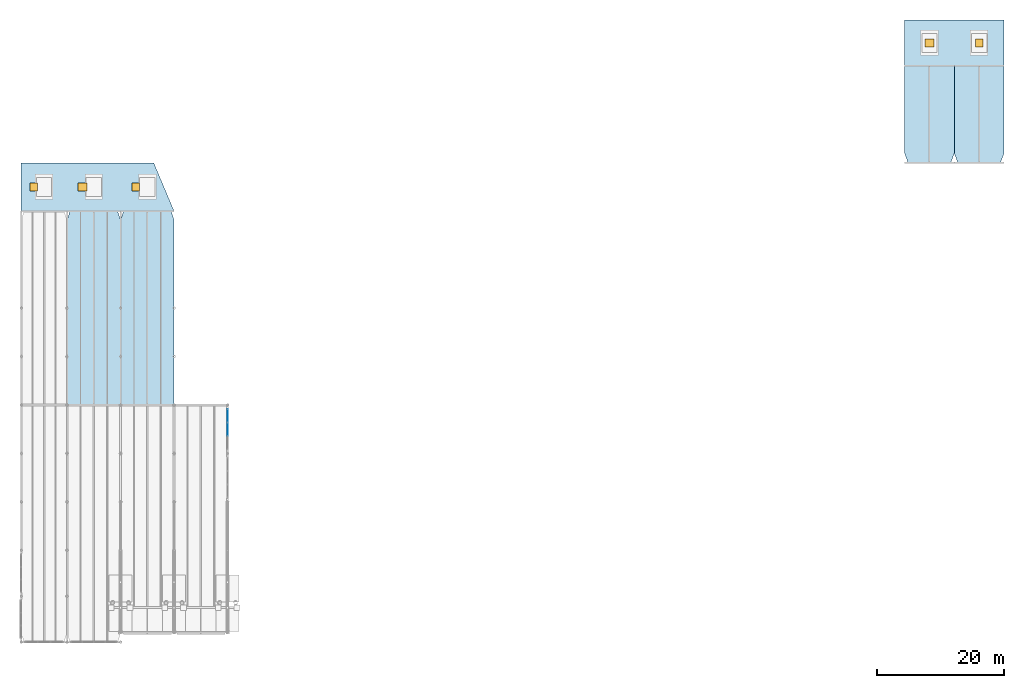
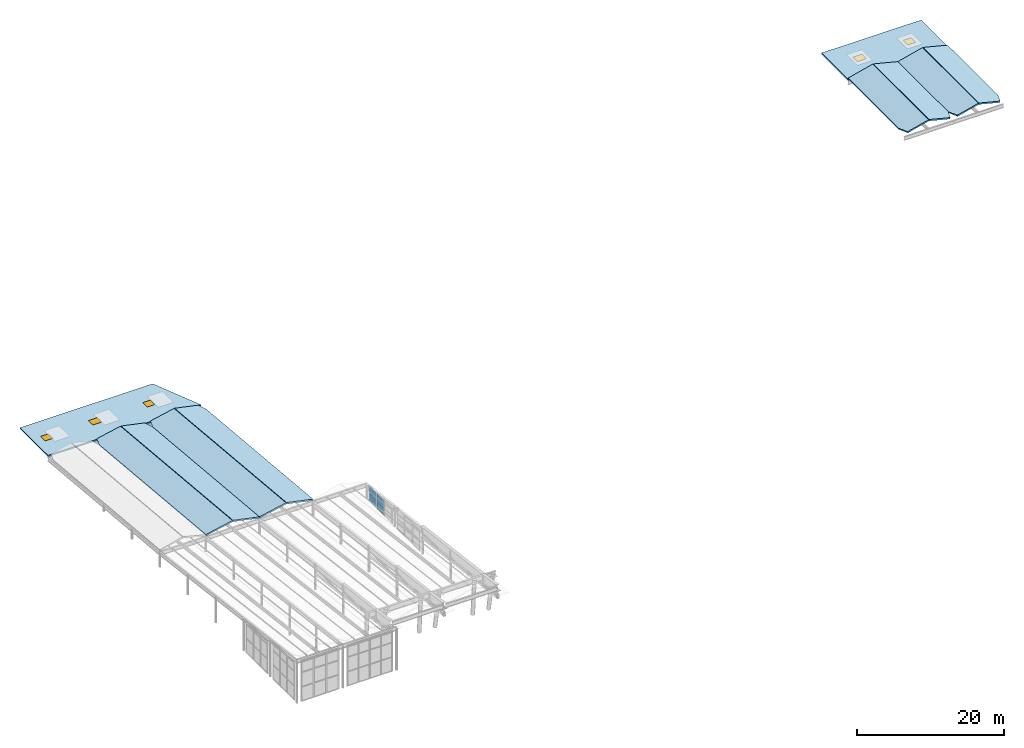
# One storey, part 12 of 14: 10 slabs, 5 windows, 4 plates, 5 openings, 1 element without a shape of its own.
"""IFC4 building model written with IfcOpenShell, lengths in metres."""

from ifc_helpers import new_model, si_unit, direction, frame, origin, origin_2d, place, context, subcontext, project, spatial, polyline, rectangle, outline, extrude, material, layer, layer_set, type_object, element, fill, aggregate, save


model = new_model("IFC4")

# Units and contexts
model_context = context("Model", 3, precision=1e-05, world=origin(), true_north=direction((0.0, 1.0)))
body_context = subcontext(model_context, "Body", "Model", "MODEL_VIEW")
ifc_project = project(units=[si_unit("LENGTHUNIT", "METRE"), si_unit("AREAUNIT", "SQUARE_METRE"), si_unit("VOLUMEUNIT", "CUBIC_METRE"), si_unit("PLANEANGLEUNIT", "RADIAN"), si_unit("MASSUNIT", "GRAM", prefix="KILO")], contexts=[model_context])

# Site, building, storey
site_placement = place(None, origin())
site = spatial("IfcSite", under=ifc_project, at=site_placement, CompositionType="ELEMENT")
building_placement = place(site_placement, origin())
building = spatial("IfcBuilding", under=site, at=building_placement, Name="Xicomal Pleat Aquarium", CompositionType="ELEMENT")
storey_placement = place(building_placement, frame((0.0, 0.0, 24.0)))
storey = spatial("IfcBuildingStorey", under=building, at=storey_placement, Name="RF", CompositionType="ELEMENT", Elevation=24.0)

# Curtain wall, plates
ifc_material_1 = material(Name="Bronze anodized aluminium 6063-T6", Category="aluminium")
ifc_layer_1 = layer(ifc_material_1, 0.159912109375)
ifc_layer_set_1 = layer_set([ifc_layer_1], Name="Bronze anodized aluminium 6063-T6")
curtain_wall_type = type_object("IfcCurtainWallType", Name="CW-SYS-03", PredefinedType="NOTDEFINED", material=ifc_layer_set_1)
curtain_wall_placement = place(storey_placement, origin())
curtain_wall = element("IfcCurtainWall", 1, at=curtain_wall_placement, inside=storey, type_object=curtain_wall_type, Name="RF pleated crown clerestory curtain wall CW-RF-06", PredefinedType="NOTDEFINED")
ifc_material_2 = material(Name="Insulated low-E laminated glass", Category="glass")
ifc_layer_2 = layer(ifc_material_2, 0.028076171875)
ifc_layer_set_2 = layer_set([ifc_layer_2], Name="Insulated low-E laminated glass")
plate_type = type_object("IfcPlateType", Name="CWP-GLZ-28", PredefinedType="CURTAIN_PANEL", material=ifc_layer_set_2)
plate_1_placement = place(storey_placement, frame((35.39990234375, 34.199951171875, 0.06494140625), z_axis=(0.0, 0.0, 1.0), x_axis=(0.0, 1.0, 0.0)))
plate_1 = element("IfcPlate", 2, at=plate_1_placement, type_object=plate_type, Name="CW-03 panel 2.1", PredefinedType="CURTAIN_PANEL", context=body_context, shape_type="SweptSolid", body=[
    extrude(rectangle(XDim=2.041748046875, YDim=0.028076171875, at=origin_2d()), origin(), (0.0, 0.0, 1.0), 1.202392578125),
])
plate_2_placement = place(storey_placement, frame((35.39990234375, 34.199951171875, 1.33251953125), z_axis=(0.0, 0.0, 1.0), x_axis=(0.0, 1.0, 0.0)))
plate_2 = element("IfcPlate", 3, at=plate_2_placement, type_object=plate_type, Name="CW-03 panel 2.2", PredefinedType="CURTAIN_PANEL", context=body_context, shape_type="SweptSolid", body=[
    extrude(rectangle(XDim=2.041748046875, YDim=0.028076171875, at=origin_2d()), origin(), (0.0, 0.0, 1.0), 1.202392578125),
])
plate_3_placement = place(storey_placement, frame((35.39990234375, 36.290283203125, 0.06494140625), z_axis=(0.0, 0.0, 1.0), x_axis=(0.0, 1.0, 0.0)))
plate_3 = element("IfcPlate", 4, at=plate_3_placement, type_object=plate_type, Name="CW-03 panel 3.1", PredefinedType="CURTAIN_PANEL", context=body_context, shape_type="SweptSolid", body=[
    extrude(rectangle(XDim=2.00927734375, YDim=0.028076171875, at=origin_2d()), origin(), (0.0, 0.0, 1.0), 1.202392578125),
])
plate_4_placement = place(storey_placement, frame((35.39990234375, 36.290283203125, 1.33251953125), z_axis=(0.0, 0.0, 1.0), x_axis=(0.0, 1.0, 0.0)))
plate_4 = element("IfcPlate", 5, at=plate_4_placement, type_object=plate_type, Name="CW-03 panel 3.2", PredefinedType="CURTAIN_PANEL", context=body_context, shape_type="SweptSolid", body=[
    extrude(rectangle(XDim=2.00927734375, YDim=0.028076171875, at=origin_2d()), origin(), (0.0, 0.0, 1.0), 1.202392578125),
])
aggregate(curtain_wall, [plate_1, plate_2, plate_3, plate_4])

# Slabs
ifc_material_3 = material(Name="Precast concrete C40/50", Category="concrete")
ifc_layer_3 = layer(ifc_material_3, 0.215087890625)
ifc_layer_set_3 = layer_set([ifc_layer_3], Name="Precast concrete C40/50")
slab_type_1 = type_object("IfcSlabType", Name="SLB-ROOF-215", PredefinedType="ROOF", material=ifc_layer_set_3)
slab_1_placement = place(storey_placement, frame((10.199951171875, 38.0, 2.800048828125), z_axis=(-0.206098125643, 0.089764679555, 0.974405390436), x_axis=(0.978355022078, 7.99024e-07, 0.206933445277)))
element("IfcSlab", 6, at=slab_1_placement, inside=storey, type_object=slab_type_1, Name="Pleated roof T2 bay 2 west facet", PredefinedType="ROOF", context=body_context, shape_type="SweptSolid", body=[
    extrude(outline(polyline([(0.0, 0.0), (4.2521869416471265, 1.3877787807814457e-17), (3.672787480940769, 30.523083592708844), (-0.11968641979654626, 30.523165042929453), (-0.5527255648312204, 29.117511860780095), (0.0, 0.0)])), origin(), (0.0, 0.0, -1.0), 0.215087890625),
])
slab_2_placement = place(storey_placement, frame((14.43994140625, 38.0, 3.679931640625), z_axis=(0.206098377615, 0.089765497372, 0.974405261801), x_axis=(0.978354965785, -8.23549e-07, -0.206933711422)))
element("IfcSlab", 7, at=slab_2_placement, inside=storey, type_object=slab_type_1, Name="Pleated roof T2 bay 2 east facet", PredefinedType="ROOF", context=body_context, shape_type="SweptSolid", body=[
    extrude(outline(polyline([(0.0, 0.0), (4.25218694163663, 0.0), (4.8049125061392255, 29.11751186044589), (4.371634505134135, 30.52316957813211), (0.5793994603521646, 30.52308359232933), (0.0, 0.0)])), origin(), (0.0, 0.0, -1.0), 0.215087890625),
])

# Slab, openings, windows
slab_3_placement = place(storey_placement, frame((0.0, 0.0, -0.219970703125)))
slab_3 = element("IfcSlab", 8, at=slab_3_placement, inside=storey, type_object=slab_type_1, Name="RF skylight and equipment roof slab RF-FLAT-W-HATCH", PredefinedType="ROOF", context=body_context, shape_type="SweptSolid", body=[
    extrude(outline(polyline([(3.0, 68.39990234375), (27.0, 68.39990234375), (23.800048828125, 76.0), (3.0, 76.0), (3.0, 68.39990234375)]), holes=[polyline([(4.39990234375, 71.60009765625), (5.60009765625, 71.60009765625), (5.60009765625, 72.800048828125), (4.39990234375, 72.800048828125), (4.39990234375, 71.60009765625)]), polyline([(11.89990234375, 71.60009765625), (13.300048828125, 71.60009765625), (13.300048828125, 72.800048828125), (11.89990234375, 72.800048828125), (11.89990234375, 71.60009765625)]), polyline([(20.39990234375, 71.60009765625), (21.60009765625, 71.60009765625), (21.60009765625, 72.800048828125), (20.39990234375, 72.800048828125), (20.39990234375, 71.60009765625)])]), origin(), (0.0, 0.0, 1.0), 0.219970703125),
])
opening_1_placement = place(slab_3_placement, frame((5.0, 72.199951171875, 0.0)))
opening_1 = element("IfcOpeningElement", 9, at=opening_1_placement, cuts=slab_3, Name="Opening RH-01", PredefinedType="OPENING", context=body_context, shape_type="SweptSolid", body=[
    extrude(rectangle(XDim=1.199951171875, YDim=1.199951171875, at=origin_2d()), origin(), (0.0, 0.0, 1.0), 0.219970703125),
])
opening_2_placement = place(slab_3_placement, frame((12.60009765625, 72.199951171875, 0.0)))
opening_2 = element("IfcOpeningElement", 10, at=opening_2_placement, cuts=slab_3, Name="Opening RH-02", PredefinedType="OPENING", context=body_context, shape_type="SweptSolid", body=[
    extrude(rectangle(XDim=1.39990234375, YDim=1.199951171875, at=origin_2d()), origin(), (0.0, 0.0, 1.0), 0.219970703125),
])
opening_3_placement = place(slab_3_placement, frame((21.0, 72.199951171875, 0.0)))
opening_3 = element("IfcOpeningElement", 11, at=opening_3_placement, cuts=slab_3, Name="Opening RH-01", PredefinedType="OPENING", context=body_context, shape_type="SweptSolid", body=[
    extrude(rectangle(XDim=1.199951171875, YDim=1.199951171875, at=origin_2d()), origin(), (0.0, 0.0, 1.0), 0.219970703125),
])
ifc_material_4 = material(Name="Bronze anodized aluminium 6063-T6", Category="aluminium")
window_type_1 = type_object("IfcWindowType", Name="SKY-HATCH-1200x1200", PartitioningType="SINGLE_PANEL", PredefinedType="SKYLIGHT", material=ifc_material_4)
window_1_placement = place(opening_1_placement, frame((0.0, 0.0, 0.169921875)))
window_1 = element("IfcWindow", 12, at=window_1_placement, inside=storey, type_object=window_type_1, Name="RF conservatory rooflight and access hatch SK-RF-13", OverallHeight=1.199951171875, OverallWidth=1.199951171875, PartitioningType="SINGLE_PANEL", PredefinedType="SKYLIGHT", context=body_context, shape_type="SweptSolid", body=[
    extrude(rectangle(XDim=1.199951171875, YDim=1.199951171875, at=origin_2d()), origin(), (0.0, 0.0, 1.0), 0.050048828125),
])
fill(opening_1, window_1)
window_2_placement = place(opening_3_placement, frame((0.0, 0.0, 0.169921875)))
window_2 = element("IfcWindow", 13, at=window_2_placement, inside=storey, type_object=window_type_1, Name="RF conservatory rooflight and access hatch SK-RF-15", OverallHeight=1.199951171875, OverallWidth=1.199951171875, PartitioningType="SINGLE_PANEL", PredefinedType="SKYLIGHT", context=body_context, shape_type="SweptSolid", body=[
    extrude(rectangle(XDim=1.199951171875, YDim=1.199951171875, at=origin_2d()), origin(), (0.0, 0.0, 1.0), 0.050048828125),
])
fill(opening_3, window_2)
ifc_material_5 = material(Name="Bronze anodized aluminium 6063-T6", Category="aluminium")
window_type_2 = type_object("IfcWindowType", Name="SKY-HATCH-1400x1200", PartitioningType="SINGLE_PANEL", PredefinedType="SKYLIGHT", material=ifc_material_5)
window_3_placement = place(opening_2_placement, frame((0.0, 0.0, 0.169921875)))
window_3 = element("IfcWindow", 14, at=window_3_placement, inside=storey, type_object=window_type_2, Name="RF conservatory rooflight and access hatch SK-RF-14", OverallHeight=1.199951171875, OverallWidth=1.39990234375, PartitioningType="SINGLE_PANEL", PredefinedType="SKYLIGHT", context=body_context, shape_type="SweptSolid", body=[
    extrude(rectangle(XDim=1.39990234375, YDim=1.199951171875, at=origin_2d()), origin(), (0.0, 0.0, 1.0), 0.050048828125),
])
fill(opening_2, window_3)

slab_4_placement = place(storey_placement, frame((0.0, 0.0, -0.219970703125)))
slab_4 = element("IfcSlab", 15, at=slab_4_placement, inside=storey, type_object=slab_type_1, Name="RF skylight and equipment roof slab RF-FLAT-E-HATCH", PredefinedType="ROOF", context=body_context, shape_type="SweptSolid", body=[
    extrude(outline(polyline([(141.60009765625, 91.199951171875), (157.199951171875, 91.199951171875), (157.199951171875, 98.39990234375), (141.60009765625, 98.39990234375), (141.60009765625, 91.199951171875)]), holes=[polyline([(144.800048828125, 94.199951171875), (146.199951171875, 94.199951171875), (146.199951171875, 95.39990234375), (144.800048828125, 95.39990234375), (144.800048828125, 94.199951171875)]), polyline([(152.699951171875, 94.199951171875), (153.89990234375, 94.199951171875), (153.89990234375, 95.39990234375), (152.699951171875, 95.39990234375), (152.699951171875, 94.199951171875)])]), origin(), (0.0, 0.0, 1.0), 0.219970703125),
])
opening_4_placement = place(slab_4_placement, frame((145.5, 94.800048828125, 0.0)))
opening_4 = element("IfcOpeningElement", 16, at=opening_4_placement, cuts=slab_4, Name="Opening RH-02", PredefinedType="OPENING", context=body_context, shape_type="SweptSolid", body=[
    extrude(rectangle(XDim=1.39990234375, YDim=1.199951171875, at=origin_2d()), origin(), (0.0, 0.0, 1.0), 0.219970703125),
])
opening_5_placement = place(slab_4_placement, frame((153.300048828125, 94.800048828125, 0.0)))
opening_5 = element("IfcOpeningElement", 17, at=opening_5_placement, cuts=slab_4, Name="Opening RH-01", PredefinedType="OPENING", context=body_context, shape_type="SweptSolid", body=[
    extrude(rectangle(XDim=1.199951171875, YDim=1.199951171875, at=origin_2d()), origin(), (0.0, 0.0, 1.0), 0.219970703125),
])
window_4_placement = place(opening_5_placement, frame((0.0, 0.0, 0.169921875)))
window_4 = element("IfcWindow", 18, at=window_4_placement, inside=storey, type_object=window_type_1, Name="RF conservatory rooflight and access hatch SK-RF-17", OverallHeight=1.199951171875, OverallWidth=1.199951171875, PartitioningType="SINGLE_PANEL", PredefinedType="SKYLIGHT", context=body_context, shape_type="SweptSolid", body=[
    extrude(rectangle(XDim=1.199951171875, YDim=1.199951171875, at=origin_2d()), origin(), (0.0, 0.0, 1.0), 0.050048828125),
])
fill(opening_5, window_4)
window_5_placement = place(opening_4_placement, frame((0.0, 0.0, 0.169921875)))
window_5 = element("IfcWindow", 19, at=window_5_placement, inside=storey, type_object=window_type_2, Name="RF conservatory rooflight and access hatch SK-RF-16", OverallHeight=1.199951171875, OverallWidth=1.39990234375, PartitioningType="SINGLE_PANEL", PredefinedType="SKYLIGHT", context=body_context, shape_type="SweptSolid", body=[
    extrude(rectangle(XDim=1.39990234375, YDim=1.199951171875, at=origin_2d()), origin(), (0.0, 0.0, 1.0), 0.050048828125),
])
fill(opening_4, window_5)

# Slabs
ifc_material_6 = material(Name="Precast concrete C40/50", Category="concrete")
ifc_layer_4 = layer(ifc_material_6, 0.235107421875)
ifc_layer_set_4 = layer_set([ifc_layer_4], Name="Precast concrete C40/50")
slab_type_2 = type_object("IfcSlabType", Name="SLB-ROOF-235", PredefinedType="ROOF", material=ifc_layer_set_4)
slab_5_placement = place(storey_placement, frame((18.60009765625, 38.0, 2.800048828125), z_axis=(-0.206109734745, 0.089764544233, 0.974402947369), x_axis=(0.978352557179, 8.01717e-07, 0.206945098663)))
element("IfcSlab", 20, at=slab_5_placement, inside=storey, type_object=slab_type_2, Name="Pleated roof T2 bay 3 west facet", PredefinedType="ROOF", context=body_context, shape_type="SweptSolid", body=[
    extrude(outline(polyline([(0.0, 0.0), (4.251948085291673, 0.0), (3.6725160764261866, 30.523082974810606), (-0.11971897884477295, 30.52316491520205), (-0.5527566145670904, 29.117511271323522), (0.0, 0.0)])), origin(), (0.0, 0.0, -1.0), 0.235107421875),
])
slab_6_placement = place(storey_placement, frame((22.840087890625, 38.0, 3.679931640625), z_axis=(0.206109734745, 0.089764544233, 0.974402947369), x_axis=(0.978352557179, -8.01717e-07, -0.206945098663)))
element("IfcSlab", 21, at=slab_6_placement, inside=storey, type_object=slab_type_2, Name="Pleated roof T2 bay 3 east facet", PredefinedType="ROOF", context=body_context, shape_type="SweptSolid", body=[
    extrude(outline(polyline([(0.0, 0.0), (4.251948085291673, 0.0), (4.804704699858764, 29.117511271323522), (4.371667064136446, 30.52316491520205), (0.5794320088654863, 30.523082974810606), (0.0, 0.0)])), origin(), (0.0, 0.0, -1.0), 0.235107421875),
])
slab_7_placement = place(storey_placement, frame((142.14990234375, 76.0, 0.337158203125), z_axis=(-0.244253124206, -4.0798663e-05, 0.969711508466), x_axis=(0.969711509273, 1.4092e-08, 0.24425312441)))
element("IfcSlab", 22, at=slab_7_placement, inside=storey, type_object=slab_type_2, Name="East wing pleated roof bay 1 west facet", PredefinedType="ROOF", context=body_context, shape_type="SweptSolid", body=[
    extrude(outline(polyline([(0.0, 0.0), (3.413743732471087, 0.0), (3.4137439466612496, 15.199951159224604), (-0.566664965204505, 15.199951217811346), (-0.5666651582574126, 1.5000000573383436), (0.0, 0.0)])), origin(), (0.0, 0.0, -1.0), 0.235107421875),
])
slab_8_placement = place(storey_placement, frame((145.5400390625, 76.0, 1.172119140625), z_axis=(0.244253124206, -4.0798663e-05, 0.969711508466), x_axis=(0.969711509273, -1.4092e-08, -0.24425312441)))
element("IfcSlab", 23, at=slab_8_placement, inside=storey, type_object=slab_type_2, Name="East wing pleated roof bay 1 east facet", PredefinedType="ROOF", context=body_context, shape_type="SweptSolid", body=[
    extrude(outline(polyline([(0.0, 0.0), (3.413743732471087, 0.0), (3.9804088907284996, 1.5000000573383436), (3.9804086976755926, 15.199951217811346), (-2.1419016264012426e-07, 15.199951159224604), (0.0, 0.0)])), origin(), (0.0, 0.0, -1.0), 0.235107421875),
])
slab_9_placement = place(storey_placement, frame((149.949951171875, 76.0, 0.337158203125), z_axis=(-0.244239216442, -4.2492798e-05, 0.969715011406), x_axis=(0.969715012281, 1.5286e-08, 0.244239216663)))
element("IfcSlab", 24, at=slab_9_placement, inside=storey, type_object=slab_type_2, Name="East wing pleated roof bay 2 west facet", PredefinedType="ROOF", context=body_context, shape_type="SweptSolid", body=[
    extrude(outline(polyline([(0.0, 0.0), (3.413743715209517, 0.0), (3.413743947557183, 15.199951158152192), (-0.5669017116060728, 15.199951221709116), (-0.5669019210246192, 1.5000000622026952), (0.0, 0.0)])), origin(), (0.0, 0.0, -1.0), 0.235107421875),
])
slab_10_placement = place(storey_placement, frame((153.340087890625, 76.0, 1.172119140625), z_axis=(0.244253846086, -4.2774135e-05, 0.969711326552), x_axis=(0.969711327439, -1.549e-08, -0.24425384631)))
element("IfcSlab", 25, at=slab_10_placement, inside=storey, type_object=slab_type_2, Name="East wing pleated roof bay 2 east facet", PredefinedType="ROOF", context=body_context, shape_type="SweptSolid", body=[
    extrude(outline(polyline([(0.0, 0.0), (3.413506987418352, 0.0), (3.9804088885837383, 1.5000000630296948), (3.9804086763682562, 15.199951222371794), (-2.354508366543221e-07, 15.19995115796988), (0.0, 0.0)])), origin(), (0.0, 0.0, -1.0), 0.235107421875),
])

save(model, "model.ifc")
